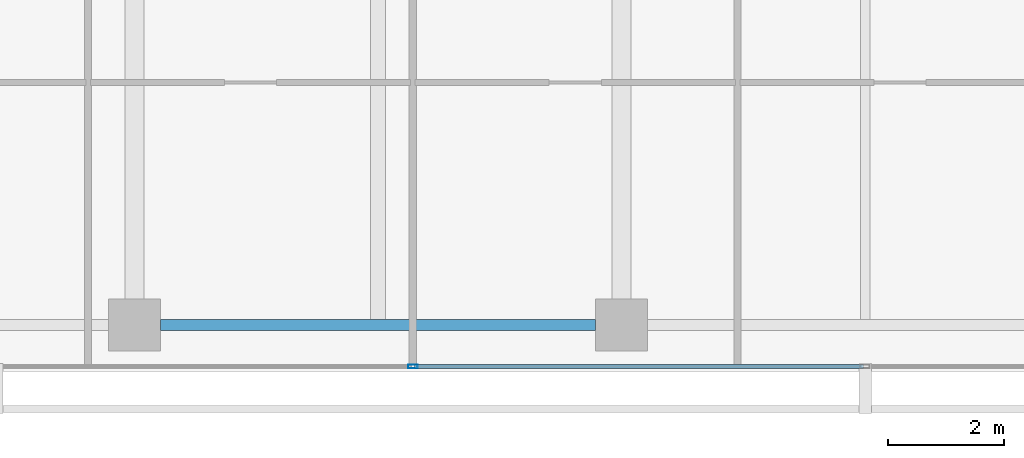
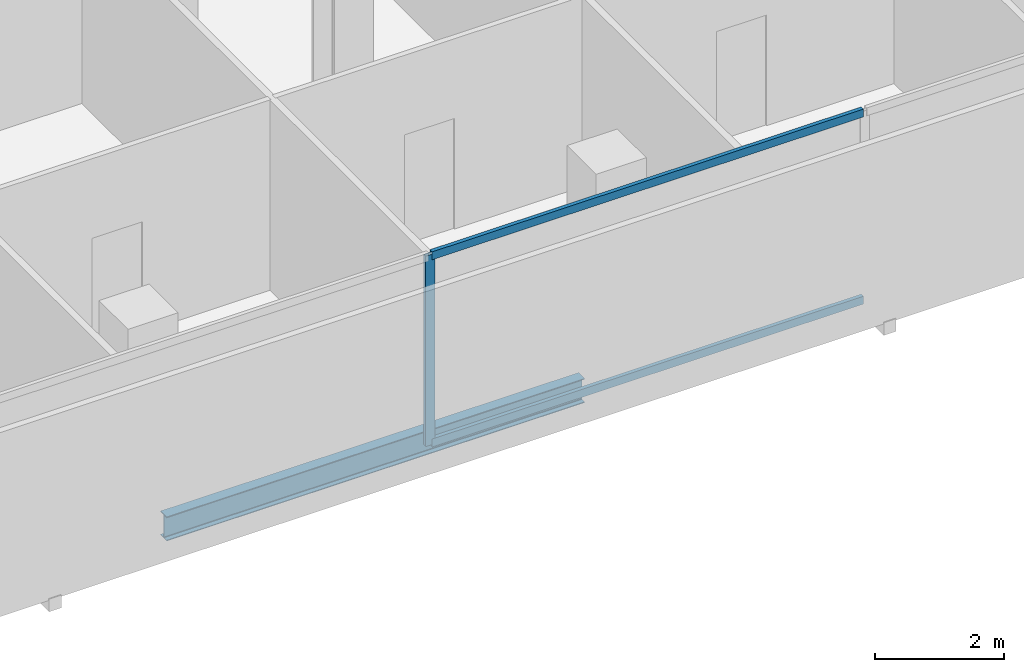
# One storey, part 7 of 40: 3 members, 1 beam, 1 element without a shape of its own.
"""IFC4 building model written with IfcOpenShell, lengths in metres."""

from ifc_helpers import new_model, si_unit, direction, frame, origin, origin_2d, place, context, subcontext, project, spatial, hollow_rectangle, i_section, extrude, material, layer, layer_set, material_profile, profile_set, type_object, element, aggregate, save


model = new_model("IFC4")

# Units and contexts
model_context = context("Model", 3, precision=1e-05, world=origin(), true_north=direction((0.0, 1.0)))
body_context = subcontext(model_context, "Body", "Model", "MODEL_VIEW")
ifc_project = project(units=[si_unit("LENGTHUNIT", "METRE"), si_unit("AREAUNIT", "SQUARE_METRE"), si_unit("VOLUMEUNIT", "CUBIC_METRE"), si_unit("PLANEANGLEUNIT", "RADIAN"), si_unit("MASSUNIT", "GRAM", prefix="KILO")], contexts=[model_context])

# Site, building, storey
site_placement = place(None, origin())
site = spatial("IfcSite", under=ifc_project, at=site_placement, CompositionType="ELEMENT")
building_placement = place(site_placement, origin())
building = spatial("IfcBuilding", under=site, at=building_placement, Name="Maruvema Waterfront Hotel and Observation Tower", CompositionType="ELEMENT")
storey_placement = place(building_placement, frame((0.0, 0.0, 57.75)))
storey = spatial("IfcBuildingStorey", under=building, at=storey_placement, Name="L13", CompositionType="ELEMENT", Elevation=57.75)

# Curtain wall, members
ifc_material_1 = material(Name="Anodised bronze aluminium and solar-control low-E IGU", Category="aluminium")
ifc_layer = layer(ifc_material_1, 0.159912109375, Name="Zone 1 Bronze Inner Thermal Curtain Wall System CW-02")
ifc_layer_set = layer_set([ifc_layer], Name="Anodised bronze aluminium and solar-control low-E IGU")
curtain_wall_type = type_object("IfcCurtainWallType", Name="Zone 1 Bronze Inner Thermal Curtain Wall System CW-02", PredefinedType="USERDEFINED", material=ifc_layer_set)
curtain_wall_placement = place(storey_placement, origin())
curtain_wall = element("IfcCurtainWall", 1, at=curtain_wall_placement, inside=storey, type_object=curtain_wall_type, Name="L13 Curtain Wall CW-L13-S", ObjectType="UNITISED CURTAIN WALL", PredefinedType="USERDEFINED")
ifc_material_2 = material(Name="Anodised architectural bronze aluminium", Category="aluminium")
ifc_material_profile_1 = material_profile(ifc_material_2, hollow_rectangle(XDim=0.070068359375, YDim=0.14990234375, WallThickness=0.00390625, at=origin_2d()), Name="ALU-T70x150")
ifc_profile_set_1 = profile_set([ifc_material_profile_1], Name="Anodised architectural bronze aluminium")
member_type_1 = type_object("IfcMemberType", Name="Curtain Wall Horizontal Transom ALU-T70x150", PredefinedType="USERDEFINED", material=ifc_profile_set_1)
member_1_placement = place(storey_placement, frame((30.030029296875, 0.080078125, 0.030029296875), z_axis=(1.0, 0.0, 0.0), x_axis=(0.0, 1.0, 0.0)))
member_1 = element("IfcMember", 2, at=member_1_placement, type_object=member_type_1, Name="CW-02 transom 3.1", ObjectType="TRANSOM", PredefinedType="USERDEFINED", context=body_context, shape_type="SweptSolid", body=[
    extrude(hollow_rectangle(XDim=0.070068359375, YDim=0.14990234375, WallThickness=0.00390625, at=origin_2d()), origin(), (0.0, 0.0, 1.0), 7.739990234375),
])
member_2_placement = place(storey_placement, frame((30.030029296875, 0.080078125, 3.580078125), z_axis=(1.0, 0.0, 0.0), x_axis=(0.0, 1.0, 0.0)))
member_2 = element("IfcMember", 3, at=member_2_placement, type_object=member_type_1, Name="CW-02 transom 3.2", ObjectType="TRANSOM", PredefinedType="USERDEFINED", context=body_context, shape_type="SweptSolid", body=[
    extrude(hollow_rectangle(XDim=0.070068359375, YDim=0.14990234375, WallThickness=0.00390625, at=origin_2d()), origin(), (0.0, 0.0, 1.0), 7.739990234375),
])
ifc_material_3 = material(Name="Anodised architectural bronze aluminium", Category="aluminium")
ifc_material_profile_2 = material_profile(ifc_material_3, hollow_rectangle(XDim=0.06494140625, YDim=0.1650390625, WallThickness=0.00390625, at=origin_2d()), Name="ALU-M65x165")
ifc_profile_set_2 = profile_set([ifc_material_profile_2], Name="Anodised architectural bronze aluminium")
member_type_2 = type_object("IfcMemberType", Name="Curtain Wall Primary Mullion ALU-M65x165", PredefinedType="MULLION", material=ifc_profile_set_2)
member_3_placement = place(storey_placement, frame((30.0, 0.080078125, 0.0), z_axis=(0.0, 0.0, 1.0), x_axis=(0.0, 1.0, 0.0)))
member_3 = element("IfcMember", 4, at=member_3_placement, type_object=member_type_2, Name="CW-02 mullion 3", PredefinedType="MULLION", context=body_context, shape_type="SweptSolid", body=[
    extrude(hollow_rectangle(XDim=0.06494140625, YDim=0.1650390625, WallThickness=0.00390625, at=origin_2d()), origin(), (0.0, 0.0, 1.0), 3.610107421875),
])
aggregate(curtain_wall, [member_3, member_1, member_2])

# Beam
ifc_material_4 = material(Name="Steel ASTM A572 Grade 50", Category="steel")
ifc_material_profile_3 = material_profile(ifc_material_4, i_section(OverallWidth=0.18994140625, OverallDepth=0.45703125, WebThickness=0.009033203125, FlangeThickness=0.014404296875, FilletRadius=0.014892578125, at=origin_2d()), Name="W460x74.0")
ifc_profile_set_3 = profile_set([ifc_material_profile_3], Name="Steel ASTM A572 Grade 50")
beam_type = type_object("IfcBeamType", Name="Perimeter Spandrel Beam W460x74.0", PredefinedType="SPANDREL", material=ifc_profile_set_3)
beam_placement = place(storey_placement, frame((25.64990234375, 0.800048828125, -0.468505859375), z_axis=(1.0, 0.0, 0.0), x_axis=(0.0, 1.0, 0.0)))
element("IfcBeam", 5, at=beam_placement, inside=storey, type_object=beam_type, Name="L13 Floor Girder EW-02", PredefinedType="SPANDREL", context=body_context, shape_type="SweptSolid", body=[
    extrude(i_section(OverallWidth=0.18994140625, OverallDepth=0.45703125, WebThickness=0.009033203125, FlangeThickness=0.014404296875, FilletRadius=0.014892578125, at=origin_2d()), origin(), (0.0, 0.0, 1.0), 7.5),
])

save(model, "model.ifc")
